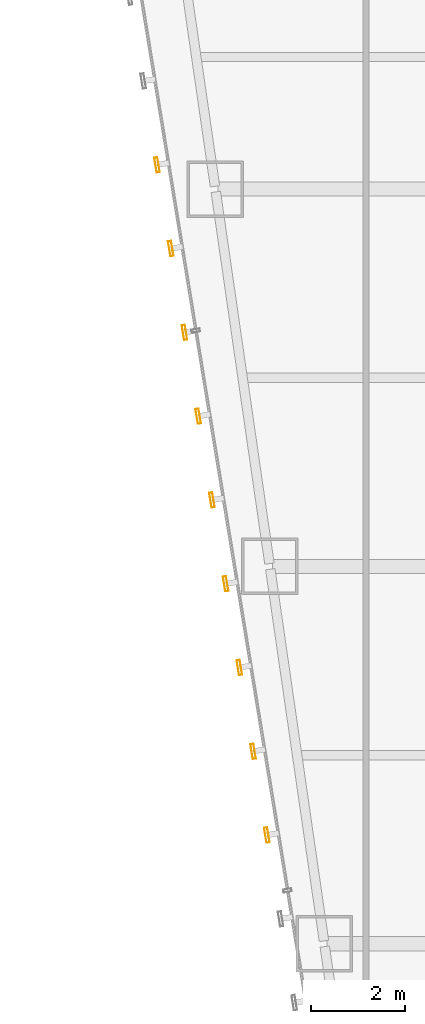
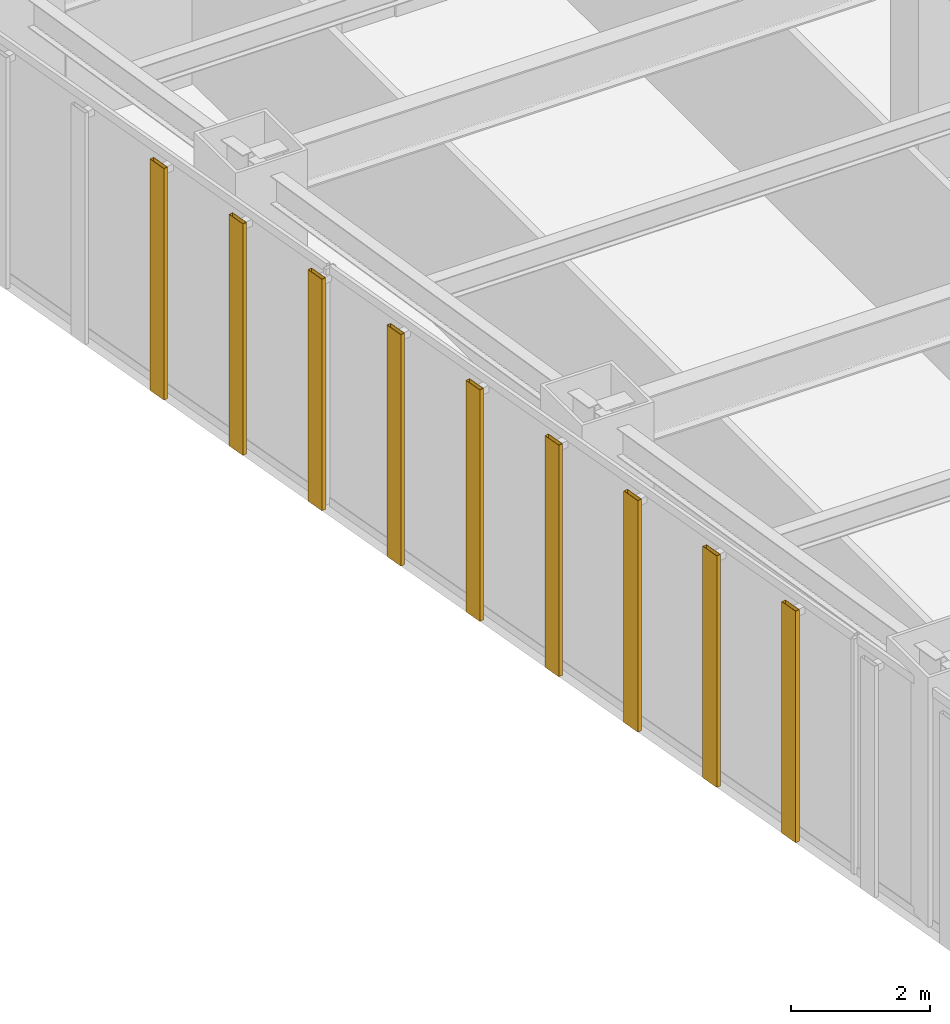
# One storey, part 43 of 47: 9 shading devices.
"""IFC4 building model written with IfcOpenShell, lengths in metres."""

from ifc_helpers import new_model, si_unit, direction, frame, origin, origin_2d, place, context, subcontext, project, spatial, hollow_rectangle, extrude, material, material_profile, profile_set, type_object, element, save


model = new_model("IFC4")

# Units and contexts
model_context = context("Model", 3, precision=1e-05, world=origin(), true_north=direction((0.0, 1.0)))
body_context = subcontext(model_context, "Body", "Model", "MODEL_VIEW")
ifc_project = project(units=[si_unit("LENGTHUNIT", "METRE"), si_unit("AREAUNIT", "SQUARE_METRE"), si_unit("VOLUMEUNIT", "CUBIC_METRE"), si_unit("PLANEANGLEUNIT", "RADIAN"), si_unit("MASSUNIT", "GRAM", prefix="KILO")], contexts=[model_context])

# Site, building, storey
site_placement = place(None, origin())
site = spatial("IfcSite", under=ifc_project, at=site_placement, CompositionType="ELEMENT")
building_placement = place(site_placement, origin())
building = spatial("IfcBuilding", under=site, at=building_placement, Name="Saevonmaru Cultural Tower", CompositionType="ELEMENT")
storey_placement = place(building_placement, frame((0.0, 0.0, 92.800048828125)))
storey = spatial("IfcBuildingStorey", under=building, at=storey_placement, Name="L19", CompositionType="ELEMENT", Elevation=92.800048828125)

# Shading devices
ifc_material = material(Name="Satin Bronze Anodised Aluminium", Category="aluminium")
ifc_material_profile = material_profile(ifc_material, hollow_rectangle(XDim=0.070068359375, YDim=0.320068359375, WallThickness=0.0048828125, at=origin_2d()), Name="FIN-320x70")
ifc_profile_set = profile_set([ifc_material_profile], Name="Satin Bronze Anodised Aluminium")
shading_device_type = type_object("IfcShadingDeviceType", Name="SHD-FIN-320", PredefinedType="JALOUSIE", material=ifc_profile_set)
for number, where, z_axis, x_axis, name in (
    (1, (7.0810546875, 32.513916015625, 0.050048828125), (0.0, 0.0, 1.0), (-0.986827496189, -0.161776057456, 0.0), "L19 Art Deco Sawtooth Bronze Fin E12-12"),
    (2, (7.3720703125, 30.737548828125, 0.050048828125), (0.0, 0.0, 1.0), (-0.986827496189, -0.161776057456, 0.0), "L19 Art Deco Sawtooth Bronze Fin E12-13"),
    (3, (7.6630859375, 28.961181640625, 0.050048828125), (0.0, 0.0, 1.0), (-0.986827496189, -0.161776057456, 0.0), "L19 Art Deco Sawtooth Bronze Fin E12-14"),
    (4, (7.9541015625, 27.184814453125, 0.050048828125), (0.0, 0.0, 1.0), (-0.986827496189, -0.161776057456, 0.0), "L19 Art Deco Sawtooth Bronze Fin E12-15"),
    (5, (8.245361328125, 25.40869140625, 0.050048828125), (0.0, 0.0, 1.0), (-0.986827496189, -0.161776057456, 0.0), "L19 Art Deco Sawtooth Bronze Fin E12-16"),
    (6, (8.536376953125, 23.63232421875, 0.050048828125), (0.0, 0.0, 1.0), (-0.986827496189, -0.161776057456, 0.0), "L19 Art Deco Sawtooth Bronze Fin E12-17"),
    (7, (8.827392578125, 21.85595703125, 0.050048828125), (0.0, 0.0, 1.0), (-0.986827496189, -0.161776057456, 0.0), "L19 Art Deco Sawtooth Bronze Fin E12-18"),
    (8, (9.118408203125, 20.07958984375, 0.050048828125), (0.0, 0.0, 1.0), (-0.986827496189, -0.161776057456, 0.0), "L19 Art Deco Sawtooth Bronze Fin E12-19"),
    (9, (9.40966796875, 18.30322265625, 0.050048828125), (0.0, 0.0, 1.0), (-0.986827496189, -0.161776057456, 0.0), "L19 Art Deco Sawtooth Bronze Fin E12-20"),
):
    element("IfcShadingDevice", number, at=place(storey_placement, frame(where, z_axis=z_axis, x_axis=x_axis)), inside=storey, type_object=shading_device_type, Name=name, PredefinedType="JALOUSIE", context=body_context, shape_type="SweptSolid", body=[
        extrude(hollow_rectangle(XDim=0.070068359375, YDim=0.320068359375, WallThickness=0.0048828125, at=origin_2d()), origin(), (0.0, 0.0, 1.0), 4.079833984375),
    ])

save(model, "model.ifc")
